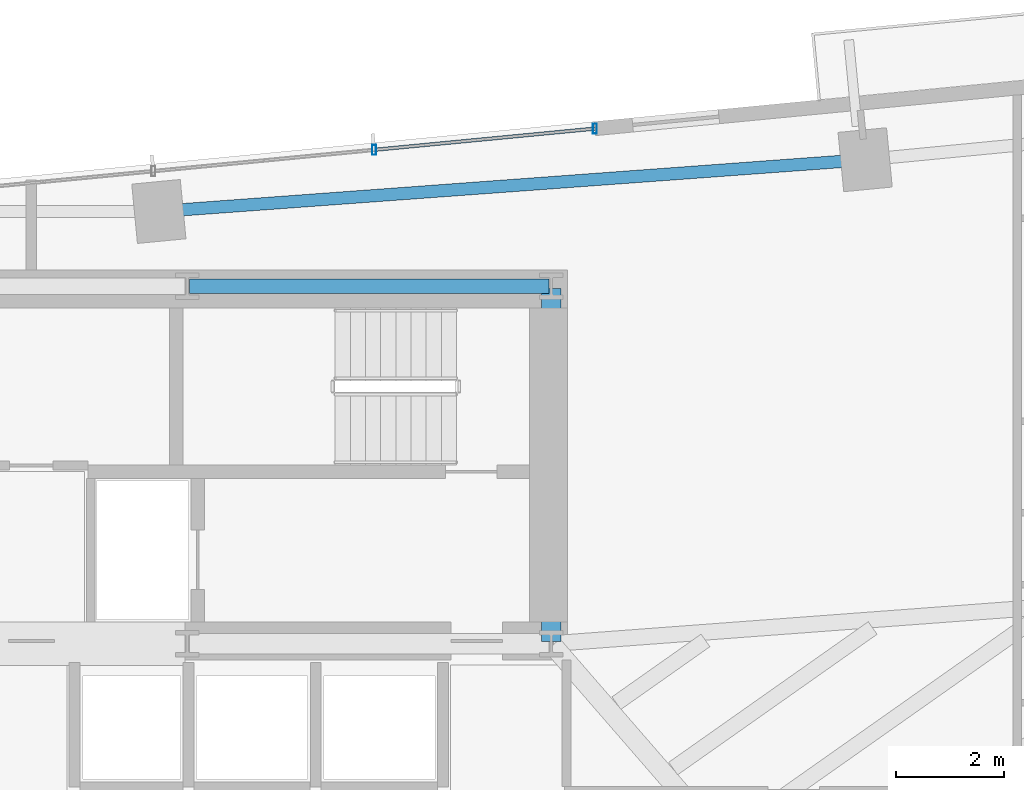
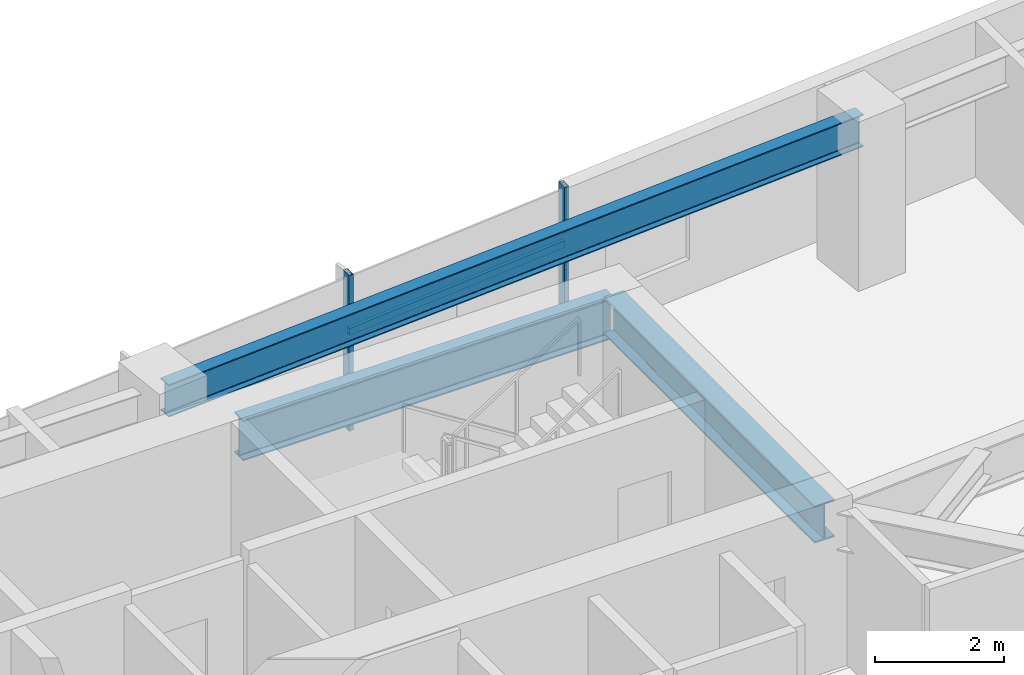
# One storey, part 15 of 25: 3 beams, 3 members, 1 element without a shape of its own.
"""IFC4 building model written with IfcOpenShell, lengths in metres."""

from ifc_helpers import new_model, si_unit, direction, frame, origin, origin_2d, place, context, subcontext, project, spatial, hollow_rectangle, i_section, extrude, source, transform, mapped, material, material_profile, profile_set, type_object, type_shapes, element, aggregate, save


model = new_model("IFC4")

# Units and contexts
model_context = context("Model", 3, precision=1e-05, world=origin(), true_north=direction((0.0, 1.0)))
body_context = subcontext(model_context, "Body", "Model", "MODEL_VIEW")
ifc_project = project(units=[si_unit("LENGTHUNIT", "METRE"), si_unit("AREAUNIT", "SQUARE_METRE"), si_unit("VOLUMEUNIT", "CUBIC_METRE"), si_unit("PLANEANGLEUNIT", "RADIAN"), si_unit("MASSUNIT", "GRAM", prefix="KILO")], contexts=[model_context])

# Site, building, storey
site_placement = place(None, origin())
site = spatial("IfcSite", under=ifc_project, at=site_placement, CompositionType="ELEMENT")
building_placement = place(site_placement, origin())
building = spatial("IfcBuilding", under=site, at=building_placement, Name="Astriad Promenade Condominiums", CompositionType="ELEMENT")
storey_placement = place(building_placement, frame((0.0, 0.0, 81.0)))
storey = spatial("IfcBuildingStorey", under=building, at=storey_placement, Name="L22", CompositionType="ELEMENT", Elevation=81.0)

# Beams
ifc_material_1 = material(Name="Steel ASTM A992 Grade 50", Category="steel")
ifc_material_profile_1 = material_profile(ifc_material_1, i_section(OverallWidth=0.267822265625, OverallDepth=0.76953125, WebThickness=0.015625, FlangeThickness=0.025390625, FilletRadius=0.021484375, at=origin_2d()), Name="W30X132")
ifc_profile_set_1 = profile_set([ifc_material_profile_1], Name="Steel ASTM A992 Grade 50")
beam_type_1 = type_object("IfcBeamType", Name="STEEL FLOOR GIRDER W30X132", PredefinedType="BEAM", material=ifc_profile_set_1)
shared_shape_1 = source(origin(), body_context, "Body", "SweptSolid", [
    extrude(i_section(OverallWidth=0.267822265625, OverallDepth=0.76953125, WebThickness=0.015625, FlangeThickness=0.025390625, FilletRadius=0.021484375, at=origin_2d()), origin(), (0.0, 0.0, 1.0), 6.64013671875),
])
type_shapes(beam_type_1, [shared_shape_1])
beam_1_placement = place(storey_placement, frame((38.919921875, 24.0, 2.55517578125), z_axis=(1.0, 0.0, 0.0), x_axis=(0.0, 1.0, 0.0)))
element("IfcBeam", 1, at=beam_1_placement, inside=storey, type_object=beam_type_1, Name="Core Ring Beam CG-N3-L22", PredefinedType="BEAM", context=body_context, shape_type="MappedRepresentation", body=[
    mapped(shared_shape_1, transform((0.0, 0.0, 0.0), scale=1.0)),
])
ifc_material_profile_2 = material_profile(ifc_material_1, i_section(OverallWidth=0.35791015625, OverallDepth=0.706298828125, WebThickness=0.018310546875, FlangeThickness=0.0302734375, FilletRadius=0.020263671875, at=origin_2d()), Name="W27X178")
ifc_profile_set_2 = profile_set([ifc_material_profile_2], Name="Steel ASTM A992 Grade 50")
beam_type_2 = type_object("IfcBeamType", Name="STEEL FLOOR GIRDER W27X178", PredefinedType="BEAM", material=ifc_profile_set_2)
shared_shape_2 = source(origin(), body_context, "Body", "SweptSolid", [
    extrude(i_section(OverallWidth=0.35791015625, OverallDepth=0.706298828125, WebThickness=0.018310546875, FlangeThickness=0.0302734375, FilletRadius=0.020263671875, at=origin_2d()), origin(), (0.0, 0.0, 1.0), 6.52001953125),
])
type_shapes(beam_type_2, [shared_shape_2])
beam_2_placement = place(storey_placement, frame((45.60009765625, 17.43994140625, 2.5869140625), z_axis=(0.0, 1.0, 0.0), x_axis=(-1.0, 0.0, 0.0)))
element("IfcBeam", 2, at=beam_2_placement, inside=storey, type_object=beam_type_2, Name="Core Ring Beam CG-E1-L22", PredefinedType="BEAM", context=body_context, shape_type="MappedRepresentation", body=[
    mapped(shared_shape_2, transform((0.0, 0.0, 0.0), scale=1.0)),
])
ifc_material_profile_3 = material_profile(ifc_material_1, i_section(OverallWidth=0.22900390625, OverallDepth=0.612060546875, WebThickness=0.011962890625, FlangeThickness=0.01953125, FilletRadius=0.017822265625, at=origin_2d()), Name="W24X84")
ifc_profile_set_3 = profile_set([ifc_material_profile_3], Name="Steel ASTM A992 Grade 50")
beam_type_3 = type_object("IfcBeamType", Name="STEEL SPANDREL BEAM W24X84", PredefinedType="SPANDREL", material=ifc_profile_set_3)
shared_shape_3 = source(origin(), body_context, "Body", "SweptSolid", [
    extrude(i_section(OverallWidth=0.22900390625, OverallDepth=0.612060546875, WebThickness=0.011962890625, FlangeThickness=0.01953125, FilletRadius=0.017822265625, at=origin_2d()), origin(), (0.0, 0.0, 1.0), 12.99462890625),
])
type_shapes(beam_type_3, [shared_shape_3])
beam_3_placement = place(storey_placement, frame((51.3544921875, 26.33203125, 2.6337890625), z_axis=(-0.997328518297, -0.073046742505, 0.0), x_axis=(0.073046742505, -0.997328518297, 0.0)))
element("IfcBeam", 3, at=beam_3_placement, inside=storey, type_object=beam_type_3, Name="Perimeter Spandrel Beam SP-N3-L22", PredefinedType="SPANDREL", context=body_context, shape_type="MappedRepresentation", body=[
    mapped(shared_shape_3, transform((0.0, 0.0, 0.0), scale=1.0)),
])

# Curtain wall, members
ifc_material_2 = material(Name="Anodised aluminium Black Dark Glass Unitised", Category="aluminium")
curtain_wall_type = type_object("IfcCurtainWallType", Name="CW-B2-DARK", PredefinedType="USERDEFINED", material=ifc_material_2)
curtain_wall_placement = place(storey_placement, origin())
curtain_wall = element("IfcCurtainWall", 4, at=curtain_wall_placement, inside=storey, type_object=curtain_wall_type, Name="CW-L22-N", ObjectType="UNITISED_CURTAIN_WALL", PredefinedType="USERDEFINED")
ifc_material_3 = material(Name="Anodised aluminium 6063-T6 Black", Category="aluminium")
ifc_material_profile_4 = material_profile(ifc_material_3, hollow_rectangle(XDim=0.074951171875, YDim=0.18505859375, WallThickness=0.00439453125, at=origin_2d()), Name="ALU-MUL-75X185")
ifc_profile_set_4 = profile_set([ifc_material_profile_4], Name="Anodised aluminium 6063-T6 Black")
member_type_1 = type_object("IfcMemberType", Name="MUL-ALU-MUL-75X185", PredefinedType="MULLION", material=ifc_profile_set_4)
shared_shape_4 = source(origin(), body_context, "Body", "SweptSolid", [
    extrude(hollow_rectangle(XDim=0.074951171875, YDim=0.18505859375, WallThickness=0.00439453125, at=origin_2d()), origin(), (0.0, 0.0, 1.0), 2.93994140625),
])
type_shapes(member_type_1, [shared_shape_4])
member_1_placement = place(storey_placement, frame((42.330078125, 26.51708984375, 0.0), z_axis=(0.0, 0.0, 1.0), x_axis=(1.0, 0.0, 0.0)))
member_1 = element("IfcMember", 5, at=member_1_placement, type_object=member_type_1, Name="CW-L22-N-MUL-03", PredefinedType="MULLION", context=body_context, shape_type="MappedRepresentation", body=[
    mapped(shared_shape_4, transform((0.0, 0.0, 0.0), scale=1.0)),
])
member_2_placement = place(storey_placement, frame((46.40625, 26.90966796875, 0.0), z_axis=(0.0, 0.0, 1.0), x_axis=(1.0, 0.0, 0.0)))
member_2 = element("IfcMember", 6, at=member_2_placement, type_object=member_type_1, Name="CW-L22-N-MUL-04", PredefinedType="MULLION", context=body_context, shape_type="MappedRepresentation", body=[
    mapped(shared_shape_4, transform((0.0, 0.0, 0.0), scale=1.0)),
])
ifc_material_profile_5 = material_profile(ifc_material_3, hollow_rectangle(XDim=0.06494140625, YDim=0.1298828125, WallThickness=0.00390625, at=origin_2d()), Name="ALU-TRN-65X130")
ifc_profile_set_5 = profile_set([ifc_material_profile_5], Name="Anodised aluminium 6063-T6 Black")
member_type_2 = type_object("IfcMemberType", Name="TRN-ALU-TRN-65X130", PredefinedType="USERDEFINED", material=ifc_profile_set_5)
shared_shape_5 = source(origin(), body_context, "Body", "SweptSolid", [
    extrude(hollow_rectangle(XDim=0.06494140625, YDim=0.1298828125, WallThickness=0.00390625, at=origin_2d()), origin(), (0.0, 0.0, 1.0), 4.094970703125),
])
type_shapes(member_type_2, [shared_shape_5])
member_3_placement = place(storey_placement, frame((42.330078125, 26.51708984375, 1.82275390625), z_axis=(0.995394161585, 0.09586690296, 0.0), x_axis=(-0.09586690296, 0.995394161585, 0.0)))
member_3 = element("IfcMember", 7, at=member_3_placement, type_object=member_type_2, Name="CW-L22-N-TRN-03-0", ObjectType="TRANSOM", PredefinedType="USERDEFINED", context=body_context, shape_type="MappedRepresentation", body=[
    mapped(shared_shape_5, transform((0.0, 0.0, 0.0), scale=1.0)),
])
aggregate(curtain_wall, [member_1, member_2, member_3])

save(model, "model.ifc")
